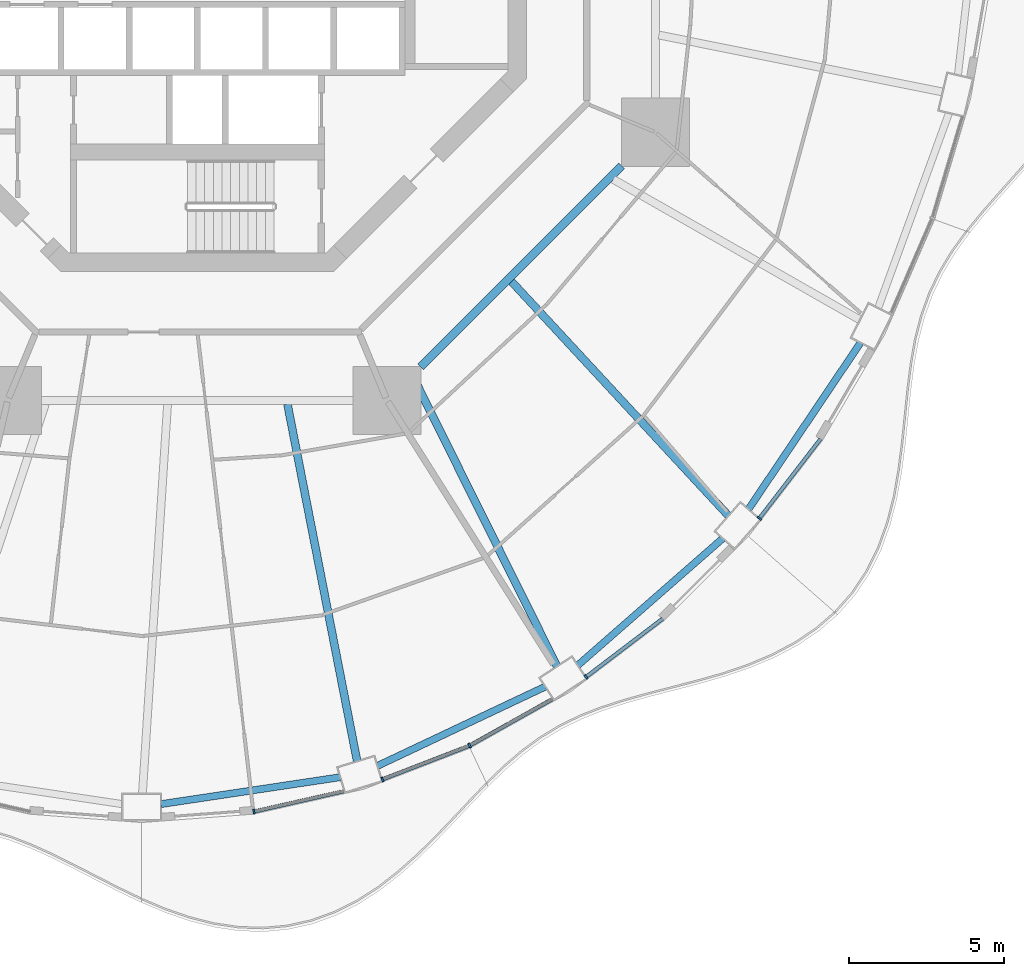
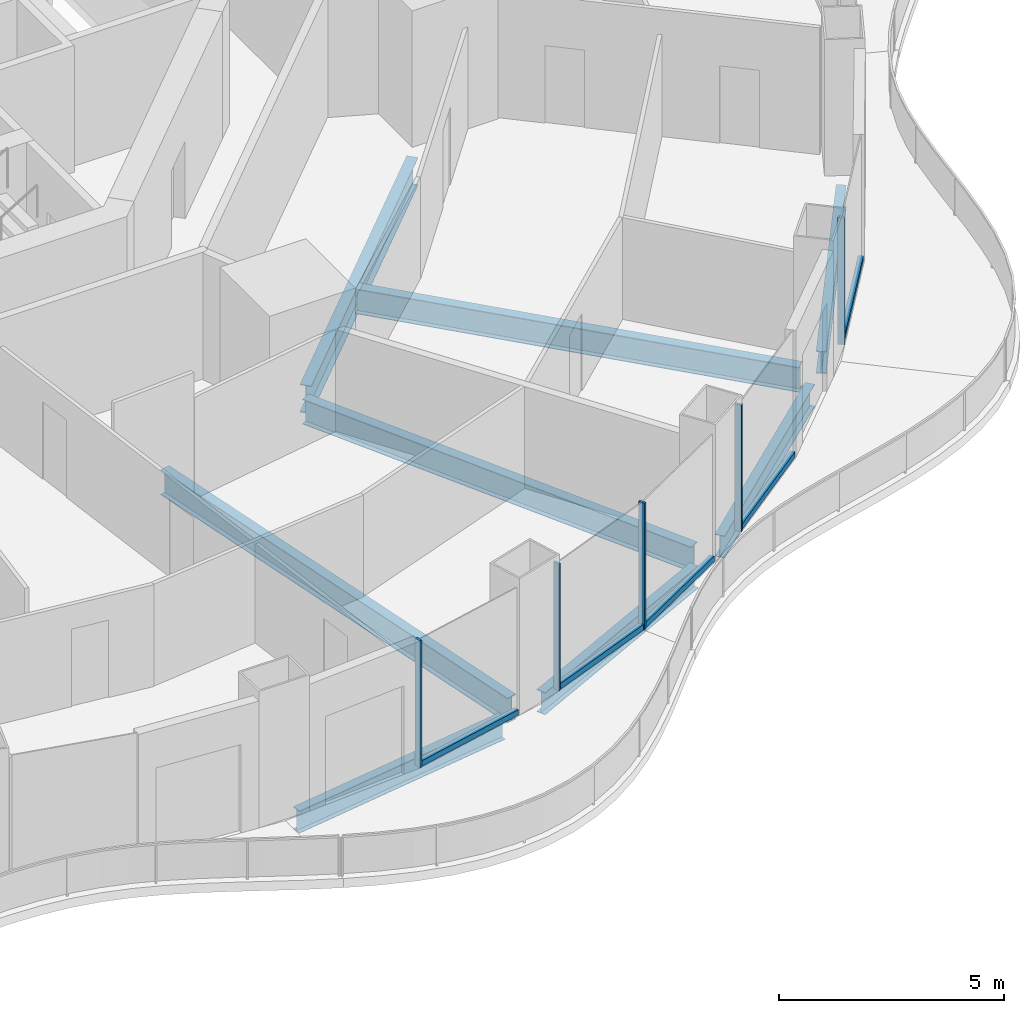
# One storey, part 5 of 22: 10 members, 8 beams, 5 elements without a shape of their own.
"""IFC4 building model written with IfcOpenShell, lengths in metres."""

from ifc_helpers import new_model, si_unit, direction, frame, origin, origin_2d, place, context, subcontext, project, spatial, rectangle, i_section, extrude, material, layer, layer_set, material_profile, profile_set, type_object, element, aggregate, save


model = new_model("IFC4")

# Units and contexts
model_context = context("Model", 3, precision=1e-05, world=origin(), true_north=direction((0.0, 1.0)))
body_context = subcontext(model_context, "Body", "Model", "MODEL_VIEW")
ifc_project = project(units=[si_unit("LENGTHUNIT", "METRE"), si_unit("AREAUNIT", "SQUARE_METRE"), si_unit("VOLUMEUNIT", "CUBIC_METRE"), si_unit("PLANEANGLEUNIT", "RADIAN"), si_unit("MASSUNIT", "GRAM", prefix="KILO")], contexts=[model_context])

# Site, building, storey
site_placement = place(None, origin())
site = spatial("IfcSite", under=ifc_project, at=site_placement, CompositionType="ELEMENT")
building_placement = place(site_placement, origin())
building = spatial("IfcBuilding", under=site, at=building_placement, Name="Nagisa Residences", CompositionType="ELEMENT")
storey_placement = place(building_placement, frame((0.0, 0.0, 106.60009765625)))
storey = spatial("IfcBuildingStorey", under=building, at=storey_placement, Name="L26", CompositionType="ELEMENT", Elevation=106.60009765625)

# Curtain wall, member
ifc_material_1 = material(Name="Concrete-coloured aluminium curtain wall system", Category="concrete")
ifc_layer = layer(ifc_material_1, 0.159912109375)
ifc_layer_set = layer_set([ifc_layer], Name="CW1 CURTAIN WALL")
curtain_wall_type = type_object("IfcCurtainWallType", Name="CW1 CURTAIN WALL", PredefinedType="NOTDEFINED", material=ifc_layer_set)
curtain_wall_1_placement = place(storey_placement, origin())
curtain_wall_1 = element("IfcCurtainWall", 1, at=curtain_wall_1_placement, inside=storey, type_object=curtain_wall_type, Name="cw:CW1:L26:37", PredefinedType="NOTDEFINED")
ifc_material_2 = material(Name="Concrete-coloured aluminium", Category="concrete")
ifc_material_profile_1 = material_profile(ifc_material_2, rectangle(XDim=0.159912109375, YDim=0.06005859375, at=origin_2d()), Name="CW1 MULLION 160x60")
ifc_profile_set_1 = profile_set([ifc_material_profile_1], Name="Concrete-coloured aluminium")
member_type_1 = type_object("IfcMemberType", Name="CW1 MULLION 160x60", PredefinedType="MULLION", material=ifc_profile_set_1)
member_1_placement = place(storey_placement, frame((1.826416015625, -28.04296875, 0.0), z_axis=(0.0, 0.0, 1.0), x_axis=(-0.2207639201, 0.975327274089, 0.0)))
member_1 = element("IfcMember", 2, at=member_1_placement, type_object=member_type_1, Name="CW1 mullion", PredefinedType="MULLION", context=body_context, shape_type="SweptSolid", body=[
    extrude(rectangle(XDim=0.159912109375, YDim=0.06005859375, at=origin_2d()), origin(), (0.0, 0.0, 1.0), 3.43994140625),
])

curtain_wall_2_placement = place(storey_placement, origin())
curtain_wall_2 = element("IfcCurtainWall", 3, at=curtain_wall_2_placement, inside=storey, type_object=curtain_wall_type, Name="cw:CW1:L26:38", PredefinedType="NOTDEFINED")
member_2_placement = place(storey_placement, frame((5.973388671875, -27.00390625, 0.0), z_axis=(0.0, 0.0, 1.0), x_axis=(-0.360327770268, 0.932825759707, 0.0)))
member_2 = element("IfcMember", 4, at=member_2_placement, type_object=member_type_1, Name="CW1 mullion", PredefinedType="MULLION", context=body_context, shape_type="SweptSolid", body=[
    extrude(rectangle(XDim=0.159912109375, YDim=0.06005859375, at=origin_2d()), origin(), (0.0, 0.0, 1.0), 3.43994140625),
])

curtain_wall_3_placement = place(storey_placement, origin())
curtain_wall_3 = element("IfcCurtainWall", 5, at=curtain_wall_3_placement, inside=storey, type_object=curtain_wall_type, Name="cw:CW1:L26:39", PredefinedType="NOTDEFINED")
member_3_placement = place(storey_placement, frame((8.785400390625, -25.913818359375, 0.0), z_axis=(0.0, 0.0, 1.0), x_axis=(-0.489376918501, 0.872072377523, 0.0)))
member_3 = element("IfcMember", 6, at=member_3_placement, type_object=member_type_1, Name="CW1 mullion", PredefinedType="MULLION", context=body_context, shape_type="SweptSolid", body=[
    extrude(rectangle(XDim=0.159912109375, YDim=0.06005859375, at=origin_2d()), origin(), (0.0, 0.0, 1.0), 3.43994140625),
])

curtain_wall_4_placement = place(storey_placement, origin())
curtain_wall_4 = element("IfcCurtainWall", 7, at=curtain_wall_4_placement, inside=storey, type_object=curtain_wall_type, Name="cw:CW1:L26:40", PredefinedType="NOTDEFINED")
member_4_placement = place(storey_placement, frame((12.540283203125, -23.699951171875, 0.0), z_axis=(0.0, 0.0, 1.0), x_axis=(-0.605255421737, 0.79603132756, 0.0)))
member_4 = element("IfcMember", 8, at=member_4_placement, type_object=member_type_1, Name="CW1 mullion", PredefinedType="MULLION", context=body_context, shape_type="SweptSolid", body=[
    extrude(rectangle(XDim=0.159912109375, YDim=0.06005859375, at=origin_2d()), origin(), (0.0, 0.0, 1.0), 3.43994140625),
])

curtain_wall_5_placement = place(storey_placement, origin())
curtain_wall_5 = element("IfcCurtainWall", 9, at=curtain_wall_5_placement, inside=storey, type_object=curtain_wall_type, Name="cw:CW1:L26:42", PredefinedType="NOTDEFINED")
member_5_placement = place(storey_placement, frame((18.135009765625, -18.579345703125, 0.0), z_axis=(0.0, 0.0, 1.0), x_axis=(-0.792070340816, 0.610429828235, 0.0)))
member_5 = element("IfcMember", 10, at=member_5_placement, type_object=member_type_1, Name="CW1 mullion", PredefinedType="MULLION", context=body_context, shape_type="SweptSolid", body=[
    extrude(rectangle(XDim=0.159912109375, YDim=0.06005859375, at=origin_2d()), origin(), (0.0, 0.0, 1.0), 3.43994140625),
])

# Member
ifc_material_3 = material(Name="Concrete-coloured aluminium", Category="concrete")
ifc_material_profile_2 = material_profile(ifc_material_3, rectangle(XDim=0.1201171875, YDim=0.14990234375, at=origin_2d()), Name="CW1 TRANSOM 120x150")
ifc_profile_set_2 = profile_set([ifc_material_profile_2], Name="Concrete-coloured aluminium")
member_type_2 = type_object("IfcMemberType", Name="CW1 TRANSOM 120x150", PredefinedType="USERDEFINED", material=ifc_profile_set_2)
member_6_placement = place(storey_placement, frame((1.79736328125, -28.049560546875, 0.074951171875), z_axis=(0.975331196789, 0.220746589036, 0.0), x_axis=(-0.220746589036, 0.975331196789, 0.0)))
member_6 = element("IfcMember", 11, at=member_6_placement, type_object=member_type_2, Name="CW1 transom", ObjectType="TRANSOM", PredefinedType="USERDEFINED", context=body_context, shape_type="SweptSolid", body=[
    extrude(rectangle(XDim=0.1201171875, YDim=0.14990234375, at=origin_2d()), origin(), (0.0, 0.0, 1.0), 2.99267578125),
])

aggregate(curtain_wall_1, [member_1, member_6])

member_7_placement = place(storey_placement, frame((5.945556640625, -27.0146484375, 0.074951171875), z_axis=(0.932827091302, 0.360324322982, 0.0), x_axis=(-0.360324322982, 0.932827091302, 0.0)))
member_7 = element("IfcMember", 12, at=member_7_placement, type_object=member_type_2, Name="CW1 transom", ObjectType="TRANSOM", PredefinedType="USERDEFINED", context=body_context, shape_type="SweptSolid", body=[
    extrude(rectangle(XDim=0.1201171875, YDim=0.14990234375, at=origin_2d()), origin(), (0.0, 0.0, 1.0), 3.02734375),
])

aggregate(curtain_wall_2, [member_2, member_7])

member_8_placement = place(storey_placement, frame((8.75927734375, -25.9287109375, 0.074951171875), z_axis=(0.872037280335, 0.489439456631, 0.0), x_axis=(-0.489439456631, 0.872037280335, 0.0)))
member_8 = element("IfcMember", 13, at=member_8_placement, type_object=member_type_2, Name="CW1 transom", ObjectType="TRANSOM", PredefinedType="USERDEFINED", context=body_context, shape_type="SweptSolid", body=[
    extrude(rectangle(XDim=0.1201171875, YDim=0.14990234375, at=origin_2d()), origin(), (0.0, 0.0, 1.0), 3.07568359375),
])

aggregate(curtain_wall_3, [member_3, member_8])

member_9_placement = place(storey_placement, frame((12.5166015625, -23.718017578125, 0.074951171875), z_axis=(0.796000041424, 0.605296567025, 0.0), x_axis=(-0.605296567025, 0.796000041424, 0.0)))
member_9 = element("IfcMember", 14, at=member_9_placement, type_object=member_type_2, Name="CW1 transom", ObjectType="TRANSOM", PredefinedType="USERDEFINED", context=body_context, shape_type="SweptSolid", body=[
    extrude(rectangle(XDim=0.1201171875, YDim=0.14990234375, at=origin_2d()), origin(), (0.0, 0.0, 1.0), 3.134033203125),
])

aggregate(curtain_wall_4, [member_4, member_9])

member_10_placement = place(storey_placement, frame((18.11669921875, -18.60302734375, 0.074951171875), z_axis=(0.610458970322, 0.792047880847, 0.0), x_axis=(-0.792047880847, 0.610458970322, 0.0)))
member_10 = element("IfcMember", 15, at=member_10_placement, type_object=member_type_2, Name="CW1 transom", ObjectType="TRANSOM", PredefinedType="USERDEFINED", context=body_context, shape_type="SweptSolid", body=[
    extrude(rectangle(XDim=0.1201171875, YDim=0.14990234375, at=origin_2d()), origin(), (0.0, 0.0, 1.0), 3.262939453125),
])

aggregate(curtain_wall_5, [member_5, member_10])

# Beams
ifc_material_4 = material(Name="Steel ASTM A572 Gr 50", Category="steel")
ifc_material_profile_3 = material_profile(ifc_material_4, i_section(OverallWidth=0.264892578125, OverallDepth=0.7529296875, WebThickness=0.01318359375, FlangeThickness=0.01708984375, at=origin_2d()), Name="W760x147")
ifc_profile_set_3 = profile_set([ifc_material_profile_3], Name="Steel ASTM A572 Gr 50")
beam_type_1 = type_object("IfcBeamType", Name="Inner ring beam W760x147", PredefinedType="BEAM", material=ifc_profile_set_3)
beam_1_placement = place(storey_placement, frame((7.208740234375, -13.6962890625, -0.63671875), z_axis=(0.707106781187, 0.707106781187, 0.0), x_axis=(-0.707106781187, 0.707106781187, 0.0)))
element("IfcBeam", 16, at=beam_1_placement, inside=storey, type_object=beam_type_1, Name="beam:L26:ib7", PredefinedType="BEAM", context=body_context, shape_type="SweptSolid", body=[
    extrude(i_section(OverallWidth=0.264892578125, OverallDepth=0.7529296875, WebThickness=0.01318359375, FlangeThickness=0.01708984375, at=origin_2d()), origin(), (0.0, 0.0, 1.0), 9.1748046875),
])
ifc_material_5 = material(Name="Steel ASTM A572 Gr 50", Category="steel")
ifc_material_profile_4 = material_profile(ifc_material_5, i_section(OverallWidth=0.22802734375, OverallDepth=0.60302734375, WebThickness=0.010498046875, FlangeThickness=0.014892578125, at=origin_2d()), Name="W610x101")
ifc_profile_set_4 = profile_set([ifc_material_profile_4], Name="Steel ASTM A572 Gr 50")
beam_type_2 = type_object("IfcBeamType", Name="Perimeter ring beam W610x101", PredefinedType="BEAM", material=ifc_profile_set_4)
beam_2_placement = place(storey_placement, frame((-1.169677734375, -27.802734375, -0.5615234375), z_axis=(0.988913048607, 0.148495731568, 0.0), x_axis=(-0.148495731568, 0.988913048607, 0.0)))
element("IfcBeam", 17, at=beam_2_placement, inside=storey, type_object=beam_type_2, Name="beam:L26:pb19", PredefinedType="BEAM", context=body_context, shape_type="SweptSolid", body=[
    extrude(i_section(OverallWidth=0.22802734375, OverallDepth=0.60302734375, WebThickness=0.010498046875, FlangeThickness=0.014892578125, at=origin_2d()), origin(), (0.0, 0.0, 1.0), 5.843017578125),
])
beam_3_placement = place(storey_placement, frame((5.814453125, -26.568359375, -0.5615234375), z_axis=(0.904196975776, 0.427115709144, 0.0), x_axis=(-0.427115709144, 0.904196975776, 0.0)))
element("IfcBeam", 18, at=beam_3_placement, inside=storey, type_object=beam_type_2, Name="beam:L26:pb20", PredefinedType="BEAM", context=body_context, shape_type="SweptSolid", body=[
    extrude(i_section(OverallWidth=0.22802734375, OverallDepth=0.60302734375, WebThickness=0.010498046875, FlangeThickness=0.014892578125, at=origin_2d()), origin(), (0.0, 0.0, 1.0), 5.980712890625),
])
beam_4_placement = place(storey_placement, frame((12.2763671875, -23.322998046875, -0.5615234375), z_axis=(0.752525569707, 0.658563031863, 0.0), x_axis=(-0.658563031863, 0.752525569707, 0.0)))
element("IfcBeam", 19, at=beam_4_placement, inside=storey, type_object=beam_type_2, Name="beam:L26:pb21", PredefinedType="BEAM", context=body_context, shape_type="SweptSolid", body=[
    extrude(i_section(OverallWidth=0.22802734375, OverallDepth=0.60302734375, WebThickness=0.010498046875, FlangeThickness=0.014892578125, at=origin_2d()), origin(), (0.0, 0.0, 1.0), 6.21240234375),
])
beam_5_placement = place(storey_placement, frame((17.784423828125, -18.2861328125, -0.5615234375), z_axis=(0.558229575935, 0.829686531499, 0.0), x_axis=(-0.829686531499, 0.558229575935, 0.0)))
element("IfcBeam", 20, at=beam_5_placement, inside=storey, type_object=beam_type_2, Name="beam:L26:pb22", PredefinedType="BEAM", context=body_context, shape_type="SweptSolid", body=[
    extrude(i_section(OverallWidth=0.22802734375, OverallDepth=0.60302734375, WebThickness=0.010498046875, FlangeThickness=0.014892578125, at=origin_2d()), origin(), (0.0, 0.0, 1.0), 6.471923828125),
])
ifc_material_6 = material(Name="Steel ASTM A572 Gr 50", Category="steel")
ifc_material_profile_5 = material_profile(ifc_material_6, i_section(OverallWidth=0.2529296875, OverallDepth=0.677978515625, WebThickness=0.01171875, FlangeThickness=0.016357421875, at=origin_2d()), Name="W690x125")
ifc_profile_set_5 = profile_set([ifc_material_profile_5], Name="Steel ASTM A572 Gr 50")
beam_type_3 = type_object("IfcBeamType", Name="Radial beam W690x125", PredefinedType="BEAM", material=ifc_profile_set_5)
beam_6_placement = place(storey_placement, frame((5.15576171875, -26.416015625, -0.59912109375), z_axis=(-0.191554340045, 0.981482009417, 0.0), x_axis=(-0.981482009417, -0.191554340045, 0.0)))
element("IfcBeam", 21, at=beam_6_placement, inside=storey, type_object=beam_type_3, Name="beam:L26:rb20", PredefinedType="BEAM", context=body_context, shape_type="SweptSolid", body=[
    extrude(i_section(OverallWidth=0.2529296875, OverallDepth=0.677978515625, WebThickness=0.01171875, FlangeThickness=0.016357421875, at=origin_2d()), origin(), (0.0, 0.0, 1.0), 11.73828125),
])
beam_7_placement = place(storey_placement, frame((11.604736328125, -23.35400390625, -0.59912109375), z_axis=(-0.444988448889, 0.895536308787, 0.0), x_axis=(-0.895536308787, -0.444988448889, 0.0)))
element("IfcBeam", 22, at=beam_7_placement, inside=storey, type_object=beam_type_3, Name="beam:L26:rb21", PredefinedType="BEAM", context=body_context, shape_type="SweptSolid", body=[
    extrude(i_section(OverallWidth=0.2529296875, OverallDepth=0.677978515625, WebThickness=0.01171875, FlangeThickness=0.016357421875, at=origin_2d()), origin(), (0.0, 0.0, 1.0), 10.364013671875),
])
beam_8_placement = place(storey_placement, frame((17.135986328125, -18.49609375, -0.59912109375), z_axis=(-0.67961674612, 0.733567364591, 0.0), x_axis=(-0.733567364591, -0.67961674612, 0.0)))
element("IfcBeam", 23, at=beam_8_placement, inside=storey, type_object=beam_type_3, Name="beam:L26:rb22", PredefinedType="BEAM", context=body_context, shape_type="SweptSolid", body=[
    extrude(i_section(OverallWidth=0.2529296875, OverallDepth=0.677978515625, WebThickness=0.01171875, FlangeThickness=0.016357421875, at=origin_2d()), origin(), (0.0, 0.0, 1.0), 10.30859375),
])

save(model, "model.ifc")
